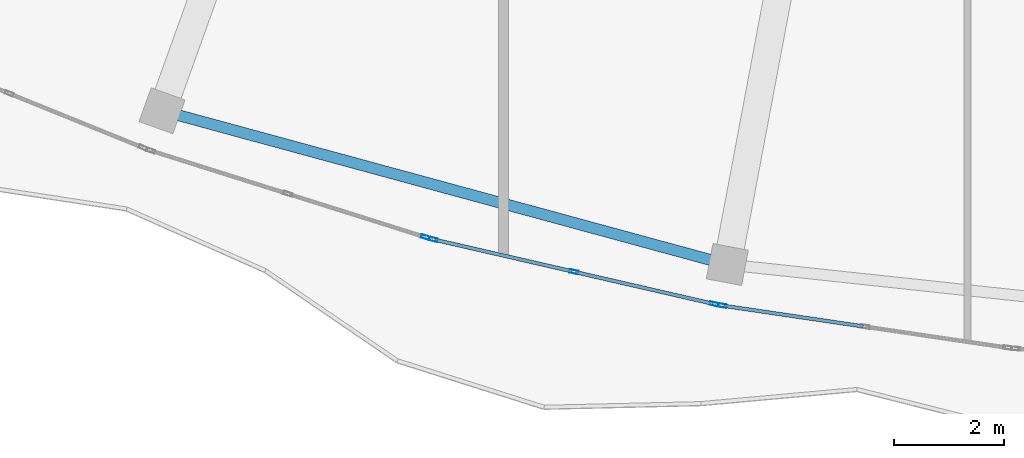
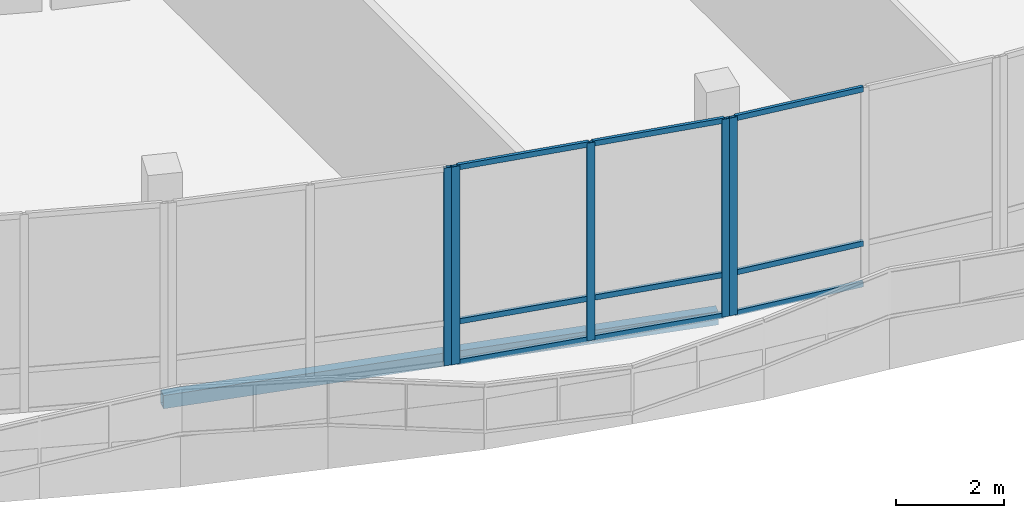
# One storey, part 14 of 155: 14 members, 1 beam, 3 elements without a shape of their own.
"""IFC4 building model written with IfcOpenShell, lengths in metres."""

from ifc_helpers import new_model, si_unit, direction, frame, origin, origin_2d, place, context, subcontext, project, spatial, hollow_rectangle, extrude, material, material_profile, profile_set, type_object, element, aggregate, save


model = new_model("IFC4")

# Units and contexts
model_context = context("Model", 3, precision=1e-05, world=origin(), true_north=direction((0.0, 1.0)))
body_context = subcontext(model_context, "Body", "Model", "MODEL_VIEW")
ifc_project = project(units=[si_unit("LENGTHUNIT", "METRE"), si_unit("AREAUNIT", "SQUARE_METRE"), si_unit("VOLUMEUNIT", "CUBIC_METRE"), si_unit("PLANEANGLEUNIT", "RADIAN"), si_unit("MASSUNIT", "GRAM", prefix="KILO")], contexts=[model_context])

# Site, building, storey
site_placement = place(None, origin())
site = spatial("IfcSite", under=ifc_project, at=site_placement, CompositionType="ELEMENT")
building_placement = place(site_placement, origin())
building = spatial("IfcBuilding", under=site, at=building_placement, Name="Selatvlak General Hospital", CompositionType="ELEMENT")
storey_placement = place(building_placement, frame((0.0, 0.0, 10.199951171875)))
storey = spatial("IfcBuildingStorey", under=building, at=storey_placement, Name="L02", CompositionType="ELEMENT", Elevation=10.199951171875)

# Beam
ifc_material_1 = material(Name="Steel S355", Category="steel")
ifc_material_profile_1 = material_profile(ifc_material_1, hollow_rectangle(XDim=0.199951171875, YDim=0.300048828125, WallThickness=0.011962890625, at=origin_2d()), Name="RHS 300x200x12")
ifc_profile_set_1 = profile_set([ifc_material_profile_1], Name="Steel S355")
beam_type = type_object("IfcBeamType", Name="BM-SP3", PredefinedType="SPANDREL", material=ifc_profile_set_1)
beam_placement = place(storey_placement, frame((33.4189453125, 16.68603515625, -0.5048828125), z_axis=(0.964929381724, -0.26250959656, 0.0), x_axis=(0.26250959656, 0.964929381724, 0.0)))
element("IfcBeam", 1, at=beam_placement, inside=storey, type_object=beam_type, Name="Beam BMR-L02-1139", PredefinedType="SPANDREL", context=body_context, shape_type="SweptSolid", body=[
    extrude(hollow_rectangle(XDim=0.199951171875, YDim=0.300048828125, WallThickness=0.011962890625, at=origin_2d()), origin(), (0.0, 0.0, 1.0), 10.60498046875),
])

# Curtain wall, member
ifc_material_2 = material(Name="Solar-control Low-E double glazing", Category="glass")
curtain_wall_type_1 = type_object("IfcCurtainWallType", Name="CW-CW-02", PredefinedType="USERDEFINED", material=ifc_material_2)
curtain_wall_1_placement = place(storey_placement, origin())
curtain_wall_1 = element("IfcCurtainWall", 2, at=curtain_wall_1_placement, inside=storey, type_object=curtain_wall_type_1, Name="Glazed facade curtain wall CW-L02-0308", ObjectType="UNITISED CURTAIN WALL", PredefinedType="USERDEFINED")
ifc_material_3 = material(Name="Dark anodised aluminium mullion", Category="aluminium")
ifc_material_profile_2 = material_profile(ifc_material_3, hollow_rectangle(XDim=0.06494140625, YDim=0.159912109375, WallThickness=0.00390625, at=origin_2d()), Name="AL-MUL 65x160x4")
ifc_profile_set_2 = profile_set([ifc_material_profile_2], Name="Dark anodised aluminium mullion")
member_type_1 = type_object("IfcMemberType", Name="CWM-01", PredefinedType="MULLION", material=ifc_profile_set_2)
member_1_placement = place(storey_placement, frame((43.56103515625, 13.158203125, 0.0), z_axis=(0.0, 0.0, 1.0), x_axis=(-0.145842510319, -0.989307819732, 0.0)))
member_1 = element("IfcMember", 3, at=member_1_placement, type_object=member_type_1, Name="CW-02 mullion 3", PredefinedType="MULLION", context=body_context, shape_type="SweptSolid", body=[
    extrude(hollow_rectangle(XDim=0.06494140625, YDim=0.159912109375, WallThickness=0.00390625, at=origin_2d()), origin(), (0.0, 0.0, 1.0), 4.4599609375),
])

# Curtain wall, members
curtain_wall_type_2 = type_object("IfcCurtainWallType", Name="CW-CW-01", PredefinedType="USERDEFINED", material=ifc_material_2)
curtain_wall_2_placement = place(storey_placement, origin())
curtain_wall_2 = element("IfcCurtainWall", 4, at=curtain_wall_2_placement, inside=storey, type_object=curtain_wall_type_2, Name="Glazed facade curtain wall CW-L02-0309", ObjectType="UNITISED CURTAIN WALL", PredefinedType="USERDEFINED")
member_2_placement = place(storey_placement, frame((43.418212890625, 13.186279296875, 0.0), z_axis=(0.0, 0.0, 1.0), x_axis=(-0.224154879176, -0.974553533749, 0.0)))
member_2 = element("IfcMember", 5, at=member_2_placement, type_object=member_type_1, Name="CW-01 mullion 1", PredefinedType="MULLION", context=body_context, shape_type="SweptSolid", body=[
    extrude(hollow_rectangle(XDim=0.06494140625, YDim=0.159912109375, WallThickness=0.00390625, at=origin_2d()), origin(), (0.0, 0.0, 1.0), 4.4599609375),
])
member_3_placement = place(storey_placement, frame((40.8740234375, 13.771484375, 0.0), z_axis=(0.0, 0.0, 1.0), x_axis=(-0.224154879176, -0.974553533749, 0.0)))
member_3 = element("IfcMember", 6, at=member_3_placement, type_object=member_type_1, Name="CW-01 mullion 2", PredefinedType="MULLION", context=body_context, shape_type="SweptSolid", body=[
    extrude(hollow_rectangle(XDim=0.06494140625, YDim=0.159912109375, WallThickness=0.00390625, at=origin_2d()), origin(), (0.0, 0.0, 1.0), 4.4599609375),
])
member_4_placement = place(storey_placement, frame((38.32958984375, 14.356689453125, 0.0), z_axis=(0.0, 0.0, 1.0), x_axis=(-0.224154879176, -0.974553533749, 0.0)))
member_4 = element("IfcMember", 7, at=member_4_placement, type_object=member_type_1, Name="CW-01 mullion 3", PredefinedType="MULLION", context=body_context, shape_type="SweptSolid", body=[
    extrude(hollow_rectangle(XDim=0.06494140625, YDim=0.159912109375, WallThickness=0.00390625, at=origin_2d()), origin(), (0.0, 0.0, 1.0), 4.4599609375),
])

# Curtain wall, member
curtain_wall_3_placement = place(storey_placement, origin())
curtain_wall_3 = element("IfcCurtainWall", 8, at=curtain_wall_3_placement, inside=storey, type_object=curtain_wall_type_1, Name="Glazed facade curtain wall CW-L02-0310", ObjectType="UNITISED CURTAIN WALL", PredefinedType="USERDEFINED")
member_5_placement = place(storey_placement, frame((38.18994140625, 14.396728515625, 0.0), z_axis=(0.0, 0.0, 1.0), x_axis=(-0.30046120424, -0.953794036858, 0.0)))
member_5 = element("IfcMember", 9, at=member_5_placement, type_object=member_type_1, Name="CW-02 mullion 1", PredefinedType="MULLION", context=body_context, shape_type="SweptSolid", body=[
    extrude(hollow_rectangle(XDim=0.06494140625, YDim=0.159912109375, WallThickness=0.00390625, at=origin_2d()), origin(), (0.0, 0.0, 1.0), 4.4599609375),
])
aggregate(curtain_wall_3, [member_5])

# Member
ifc_material_profile_3 = material_profile(ifc_material_3, hollow_rectangle(XDim=0.06494140625, YDim=0.1201171875, WallThickness=0.00390625, at=origin_2d()), Name="AL-TRN 65x120x4")
ifc_profile_set_3 = profile_set([ifc_material_profile_3], Name="Dark anodised aluminium mullion")
member_type_2 = type_object("IfcMemberType", Name="CWT-01", PredefinedType="USERDEFINED", material=ifc_profile_set_3)
member_6_placement = place(storey_placement, frame((46.11181640625, 12.7822265625, 0.032470703125), z_axis=(-0.989304660592, 0.145863938422, 0.0), x_axis=(-0.145863938422, -0.989304660592, 0.0)))
member_6 = element("IfcMember", 10, at=member_6_placement, type_object=member_type_2, Name="CW-02 transom 2.1", ObjectType="TRANSOM", PredefinedType="USERDEFINED", context=body_context, shape_type="SweptSolid", body=[
    extrude(hollow_rectangle(XDim=0.06494140625, YDim=0.1201171875, WallThickness=0.00390625, at=origin_2d()), origin(), (0.0, 0.0, 1.0), 2.5458984375),
])

member_7_placement = place(storey_placement, frame((46.11181640625, 12.7822265625, 0.949951171875), z_axis=(-0.989304660592, 0.145863938422, 0.0), x_axis=(-0.145863938422, -0.989304660592, 0.0)))
member_7 = element("IfcMember", 11, at=member_7_placement, type_object=member_type_2, Name="CW-02 transom 2.2", ObjectType="TRANSOM", PredefinedType="USERDEFINED", context=body_context, shape_type="SweptSolid", body=[
    extrude(hollow_rectangle(XDim=0.06494140625, YDim=0.1201171875, WallThickness=0.00390625, at=origin_2d()), origin(), (0.0, 0.0, 1.0), 2.5458984375),
])

member_8_placement = place(storey_placement, frame((46.11181640625, 12.7822265625, 4.427490234375), z_axis=(-0.989304660592, 0.145863938422, 0.0), x_axis=(-0.145863938422, -0.989304660592, 0.0)))
member_8 = element("IfcMember", 12, at=member_8_placement, type_object=member_type_2, Name="CW-02 transom 2.3", ObjectType="TRANSOM", PredefinedType="USERDEFINED", context=body_context, shape_type="SweptSolid", body=[
    extrude(hollow_rectangle(XDim=0.06494140625, YDim=0.1201171875, WallThickness=0.00390625, at=origin_2d()), origin(), (0.0, 0.0, 1.0), 2.5458984375),
])

aggregate(curtain_wall_1, [member_1, member_6, member_7, member_8])

member_9_placement = place(storey_placement, frame((43.38671875, 13.193603515625, 0.032470703125), z_axis=(-0.974560633156, 0.224124010991, 0.0), x_axis=(-0.224124010991, -0.974560633156, 0.0)))
member_9 = element("IfcMember", 13, at=member_9_placement, type_object=member_type_2, Name="CW-01 transom 1.1", ObjectType="TRANSOM", PredefinedType="USERDEFINED", context=body_context, shape_type="SweptSolid", body=[
    extrude(hollow_rectangle(XDim=0.06494140625, YDim=0.1201171875, WallThickness=0.00390625, at=origin_2d()), origin(), (0.0, 0.0, 1.0), 2.545654296875),
])

member_10_placement = place(storey_placement, frame((43.38671875, 13.193603515625, 0.949951171875), z_axis=(-0.974560633156, 0.224124010991, 0.0), x_axis=(-0.224124010991, -0.974560633156, 0.0)))
member_10 = element("IfcMember", 14, at=member_10_placement, type_object=member_type_2, Name="CW-01 transom 1.2", ObjectType="TRANSOM", PredefinedType="USERDEFINED", context=body_context, shape_type="SweptSolid", body=[
    extrude(hollow_rectangle(XDim=0.06494140625, YDim=0.1201171875, WallThickness=0.00390625, at=origin_2d()), origin(), (0.0, 0.0, 1.0), 2.545654296875),
])

member_11_placement = place(storey_placement, frame((43.38671875, 13.193603515625, 4.427490234375), z_axis=(-0.974560633156, 0.224124010991, 0.0), x_axis=(-0.224124010991, -0.974560633156, 0.0)))
member_11 = element("IfcMember", 15, at=member_11_placement, type_object=member_type_2, Name="CW-01 transom 1.3", ObjectType="TRANSOM", PredefinedType="USERDEFINED", context=body_context, shape_type="SweptSolid", body=[
    extrude(hollow_rectangle(XDim=0.06494140625, YDim=0.1201171875, WallThickness=0.00390625, at=origin_2d()), origin(), (0.0, 0.0, 1.0), 2.545654296875),
])

member_12_placement = place(storey_placement, frame((40.84228515625, 13.77880859375, 0.032470703125), z_axis=(-0.974560633156, 0.224124010991, 0.0), x_axis=(-0.224124010991, -0.974560633156, 0.0)))
member_12 = element("IfcMember", 16, at=member_12_placement, type_object=member_type_2, Name="CW-01 transom 2.1", ObjectType="TRANSOM", PredefinedType="USERDEFINED", context=body_context, shape_type="SweptSolid", body=[
    extrude(hollow_rectangle(XDim=0.06494140625, YDim=0.1201171875, WallThickness=0.00390625, at=origin_2d()), origin(), (0.0, 0.0, 1.0), 2.545654296875),
])

member_13_placement = place(storey_placement, frame((40.84228515625, 13.77880859375, 0.949951171875), z_axis=(-0.974560633156, 0.224124010991, 0.0), x_axis=(-0.224124010991, -0.974560633156, 0.0)))
member_13 = element("IfcMember", 17, at=member_13_placement, type_object=member_type_2, Name="CW-01 transom 2.2", ObjectType="TRANSOM", PredefinedType="USERDEFINED", context=body_context, shape_type="SweptSolid", body=[
    extrude(hollow_rectangle(XDim=0.06494140625, YDim=0.1201171875, WallThickness=0.00390625, at=origin_2d()), origin(), (0.0, 0.0, 1.0), 2.545654296875),
])

member_14_placement = place(storey_placement, frame((40.84228515625, 13.77880859375, 4.427490234375), z_axis=(-0.974560633156, 0.224124010991, 0.0), x_axis=(-0.224124010991, -0.974560633156, 0.0)))
member_14 = element("IfcMember", 18, at=member_14_placement, type_object=member_type_2, Name="CW-01 transom 2.3", ObjectType="TRANSOM", PredefinedType="USERDEFINED", context=body_context, shape_type="SweptSolid", body=[
    extrude(hollow_rectangle(XDim=0.06494140625, YDim=0.1201171875, WallThickness=0.00390625, at=origin_2d()), origin(), (0.0, 0.0, 1.0), 2.545654296875),
])

aggregate(curtain_wall_2, [member_2, member_3, member_4, member_9, member_10, member_11, member_12, member_13, member_14])

save(model, "model.ifc")
